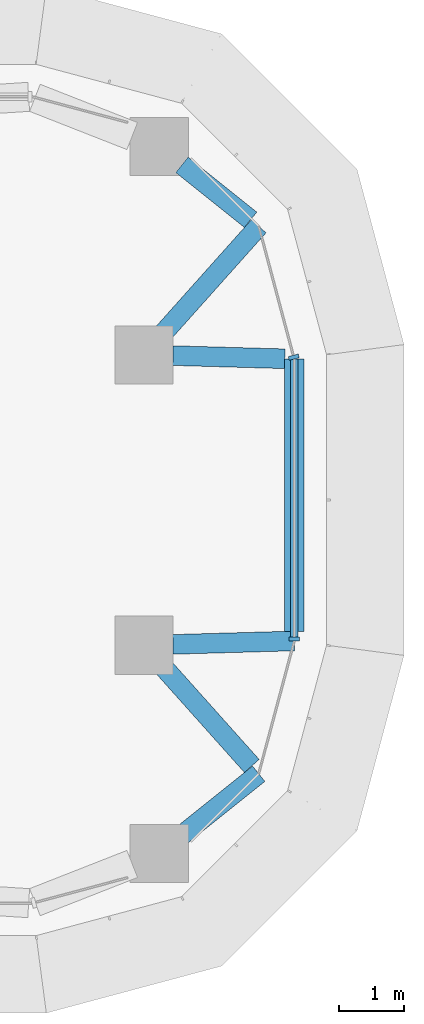
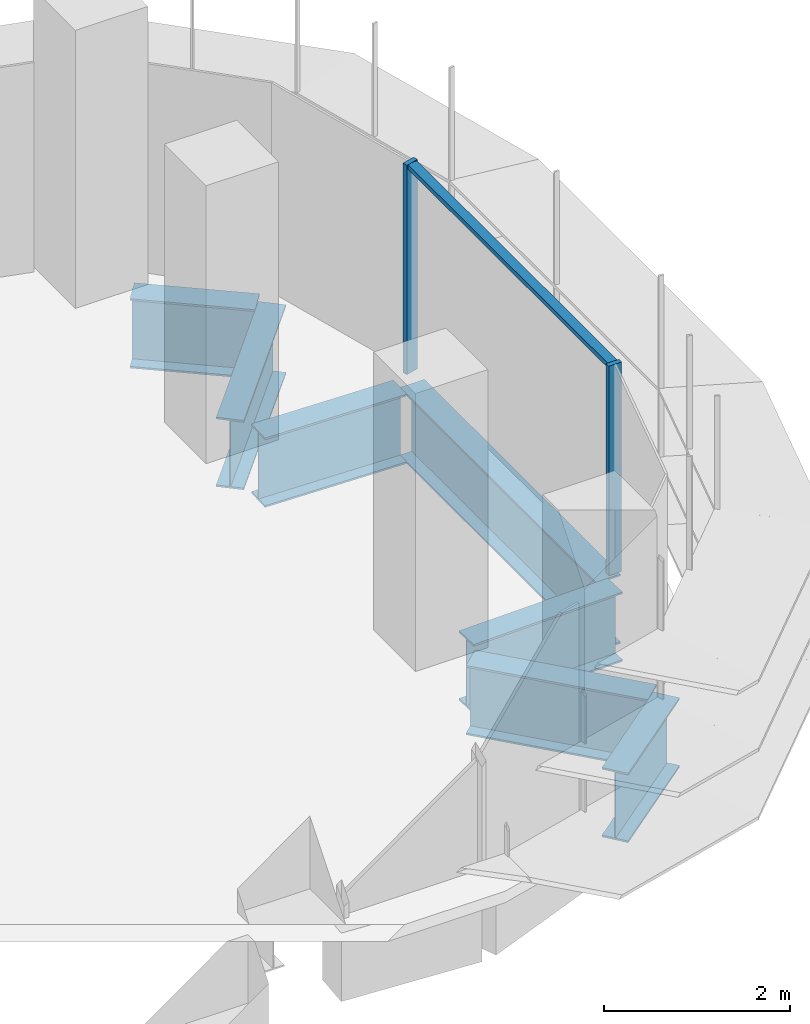
# One storey, part 10 of 22: 7 beams, 3 members, 2 elements without a shape of their own.
"""IFC4 building model written with IfcOpenShell, lengths in metres."""

from ifc_helpers import new_model, si_unit, direction, frame, origin, origin_2d, place, context, subcontext, project, spatial, polyline, i_section, outline, extrude, source, transform, mapped, material, material_profile, profile_set, type_object, element, aggregate, save


model = new_model("IFC4")

# Units and contexts
model_context = context("Model", 3, precision=1e-05, world=origin(), true_north=direction((0.0, 1.0)))
body_context = subcontext(model_context, "Body", "Model", "MODEL_VIEW")
ifc_project = project(units=[si_unit("LENGTHUNIT", "METRE"), si_unit("AREAUNIT", "SQUARE_METRE"), si_unit("VOLUMEUNIT", "CUBIC_METRE"), si_unit("PLANEANGLEUNIT", "RADIAN"), si_unit("MASSUNIT", "GRAM", prefix="KILO")], contexts=[model_context])

# Site, building, storey
site_placement = place(None, origin())
site = spatial("IfcSite", under=ifc_project, at=site_placement, CompositionType="ELEMENT")
building_placement = place(site_placement, origin())
building = spatial("IfcBuilding", under=site, at=building_placement, Name="Zarbagh Exchange Tower", CompositionType="ELEMENT")
storey_placement = place(building_placement, frame((0.0, 0.0, 132.199951171875)))
storey = spatial("IfcBuildingStorey", under=building, at=storey_placement, Name="L31", CompositionType="ELEMENT", Elevation=132.199951171875)

# Beams
ifc_material_1 = material(Name="Steel ASTM A992 Gr 50", Category="steel")
ifc_material_profile = material_profile(ifc_material_1, i_section(OverallWidth=0.3046875, OverallDepth=0.911865234375, WebThickness=0.015869140625, FlangeThickness=0.02392578125, at=origin_2d()), Name="W36X150")
ifc_profile_set = profile_set([ifc_material_profile], Name="Steel ASTM A992 Gr 50")
beam_type = type_object("IfcBeamType", Name="Floor girder W36X150", PredefinedType="BEAM", material=ifc_profile_set)
beam_1_placement = place(storey_placement, frame((29.25927734375, 5.193603515625, -0.60595703125), z_axis=(0.780641570564, -0.624978990293, 0.0), x_axis=(0.624978990293, 0.780641570564, 0.0)))
element("IfcBeam", 1, at=beam_1_placement, inside=storey, type_object=beam_type, Name="Steel girder", PredefinedType="BEAM", context=body_context, shape_type="SweptSolid", body=[
    extrude(i_section(OverallWidth=0.3046875, OverallDepth=0.911865234375, WebThickness=0.015869140625, FlangeThickness=0.02392578125, at=origin_2d()), origin(), (0.0, 0.0, 1.0), 1.363037109375),
])
beam_2_placement = place(storey_placement, frame((30.44873046875, 4.2412109375, -0.60595703125), z_axis=(-0.666232102063, -0.745744450989, 0.0), x_axis=(0.745744450989, -0.666232102063, 0.0)))
element("IfcBeam", 2, at=beam_2_placement, inside=storey, type_object=beam_type, Name="Steel girder", PredefinedType="BEAM", context=body_context, shape_type="SweptSolid", body=[
    extrude(i_section(OverallWidth=0.3046875, OverallDepth=0.911865234375, WebThickness=0.015869140625, FlangeThickness=0.02392578125, at=origin_2d()), origin(), (0.0, 0.0, 1.0), 2.219970703125),
])
beam_3_placement = place(storey_placement, frame((29.119873046875, 2.2373046875, -0.60595703125), z_axis=(0.999602818669, -0.02818164135, 0.0), x_axis=(0.02818164135, 0.999602818669, 0.0)))
element("IfcBeam", 3, at=beam_3_placement, inside=storey, type_object=beam_type, Name="Steel girder", PredefinedType="BEAM", context=body_context, shape_type="SweptSolid", body=[
    extrude(i_section(OverallWidth=0.3046875, OverallDepth=0.911865234375, WebThickness=0.015869140625, FlangeThickness=0.02392578125, at=origin_2d()), origin(), (0.0, 0.0, 1.0), 1.732666015625),
])
beam_4_placement = place(storey_placement, frame((31.0, 2.18408203125, -0.60595703125), z_axis=(0.0, -1.0, 0.0), x_axis=(1.0, 0.0, 0.0)))
element("IfcBeam", 4, at=beam_4_placement, inside=storey, type_object=beam_type, Name="Steel girder", PredefinedType="BEAM", context=body_context, shape_type="SweptSolid", body=[
    extrude(i_section(OverallWidth=0.3046875, OverallDepth=0.911865234375, WebThickness=0.015869140625, FlangeThickness=0.02392578125, at=origin_2d()), origin(), (0.0, 0.0, 1.0), 4.219970703125),
])
beam_5_placement = place(storey_placement, frame((31.0, -2.18408203125, -0.60595703125), z_axis=(-0.999599568876, -0.028296676537, 0.0), x_axis=(0.028296676537, -0.999599568876, 0.0)))
element("IfcBeam", 5, at=beam_5_placement, inside=storey, type_object=beam_type, Name="Steel girder", PredefinedType="BEAM", context=body_context, shape_type="SweptSolid", body=[
    extrude(i_section(OverallWidth=0.3046875, OverallDepth=0.911865234375, WebThickness=0.015869140625, FlangeThickness=0.02392578125, at=origin_2d()), origin(), (0.0, 0.0, 1.0), 1.880859375),
])
beam_6_placement = place(storey_placement, frame((28.9697265625, -2.585693359375, -0.60595703125), z_axis=(0.666333788732, -0.745653593832, 0.0), x_axis=(0.745653593832, 0.666333788732, 0.0)))
element("IfcBeam", 6, at=beam_6_placement, inside=storey, type_object=beam_type, Name="Steel girder", PredefinedType="BEAM", context=body_context, shape_type="SweptSolid", body=[
    extrude(i_section(OverallWidth=0.3046875, OverallDepth=0.911865234375, WebThickness=0.015869140625, FlangeThickness=0.02392578125, at=origin_2d()), origin(), (0.0, 0.0, 1.0), 2.05908203125),
])
beam_7_placement = place(storey_placement, frame((30.44873046875, -4.2412109375, -0.60595703125), z_axis=(-0.780603004261, -0.6250271592, 0.0), x_axis=(0.6250271592, -0.780603004261, 0.0)))
element("IfcBeam", 7, at=beam_7_placement, inside=storey, type_object=beam_type, Name="Steel girder", PredefinedType="BEAM", context=body_context, shape_type="SweptSolid", body=[
    extrude(i_section(OverallWidth=0.3046875, OverallDepth=0.911865234375, WebThickness=0.015869140625, FlangeThickness=0.02392578125, at=origin_2d()), origin(), (0.0, 0.0, 1.0), 1.523681640625),
])

# Curtain wall, member
ifc_material_2 = material(Name="Anodised aluminium frame and glazing", Category="aluminium")
curtain_wall_type = type_object("IfcCurtainWallType", Name="CWA Ribbon glazing, lower zones", PredefinedType="NOTDEFINED", material=ifc_material_2)
curtain_wall_1_placement = place(storey_placement, origin())
curtain_wall_1 = element("IfcCurtainWall", 8, at=curtain_wall_1_placement, inside=storey, type_object=curtain_wall_type, Name="CWA66 curtain wall", PredefinedType="NOTDEFINED")
ifc_material_3 = material(Name="Anodised aluminium frame", Category="aluminium")
member_type_1 = type_object("IfcMemberType", Name="MUA Mullion, anodised aluminium frame", PredefinedType="MULLION", material=ifc_material_3)
shared_shape_1 = source(origin(), body_context, "Body", "SweptSolid", [
    extrude(outline(polyline([(0.0, -0.080078125), (0.06005859375, -0.080078125), (0.06005859375, 0.080078125), (0.0, 0.080078125), (0.0, -0.080078125)])), origin(), (0.0, 0.0, 1.0), 2.75),
])
placement = place(storey_placement, origin())
member_1 = element("IfcMember", 9, at=placement, type_object=member_type_1, Name="CWA66 mullion 1.1", PredefinedType="MULLION", context=body_context, shape_type="MappedRepresentation", body=[
    mapped(shared_shape_1, transform((31.0, -2.18408203125, 0.0), x_axis=(0.0, 1.0, 0.0), y_axis=(-1.0, 0.0, 0.0), z_axis=(0.0, 0.0, 1.0))),
])

curtain_wall_2_placement = place(storey_placement, origin())
curtain_wall_2 = element("IfcCurtainWall", 10, at=curtain_wall_2_placement, inside=storey, type_object=curtain_wall_type, Name="CWA62 curtain wall", PredefinedType="NOTDEFINED")
member_2 = element("IfcMember", 11, at=placement, type_object=member_type_1, Name="CWA62 mullion 1.1", PredefinedType="MULLION", context=body_context, shape_type="MappedRepresentation", body=[
    mapped(shared_shape_1, transform((31.0, 2.18408203125, 0.0), x_axis=(-0.258824779902, 0.965924289636, 0.0), y_axis=(-0.965924289636, -0.258824779902, 0.0), z_axis=(0.0, 0.0, 1.0))),
])
aggregate(curtain_wall_2, [member_2])

# Member
member_type_2 = type_object("IfcMemberType", Name="TRA Transom, anodised aluminium frame", PredefinedType="USERDEFINED", material=ifc_material_3)
shared_shape_2 = source(origin(), body_context, "Body", "SweptSolid", [
    extrude(outline(polyline([(-0.06005859375, -0.06005859375), (0.0, -0.06005859375), (0.0, 0.06005859375), (-0.06005859375, 0.06005859375), (-0.06005859375, -0.06005859375)])), origin(), (0.0, 0.0, 1.0), 4.308349609375),
])
member_3 = element("IfcMember", 12, at=placement, type_object=member_type_2, Name="CWA66 transom 1.1", ObjectType="TRANSOM", PredefinedType="USERDEFINED", context=body_context, shape_type="MappedRepresentation", body=[
    mapped(shared_shape_2, transform((31.0, -2.124267578125, 2.75), x_axis=(0.0, 0.0, 1.0), y_axis=(1.0, 0.0, 0.0), z_axis=(0.0, 1.0, 0.0))),
])

aggregate(curtain_wall_1, [member_1, member_3])

save(model, "model.ifc")
